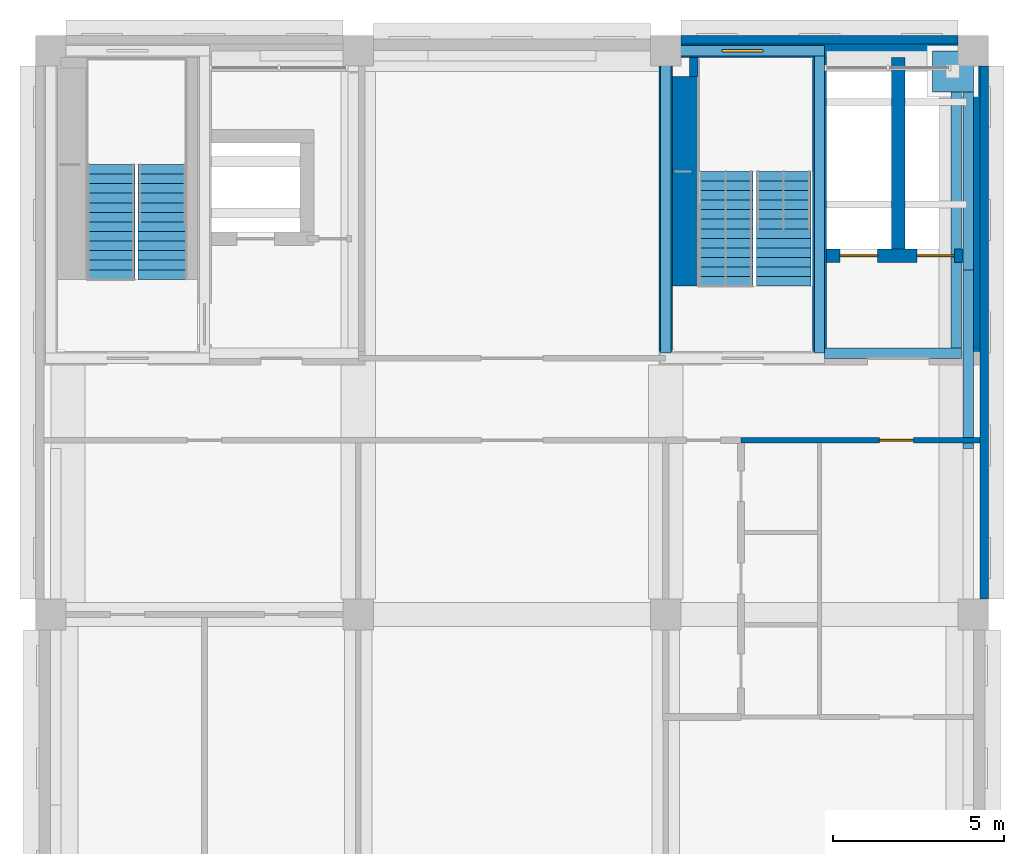
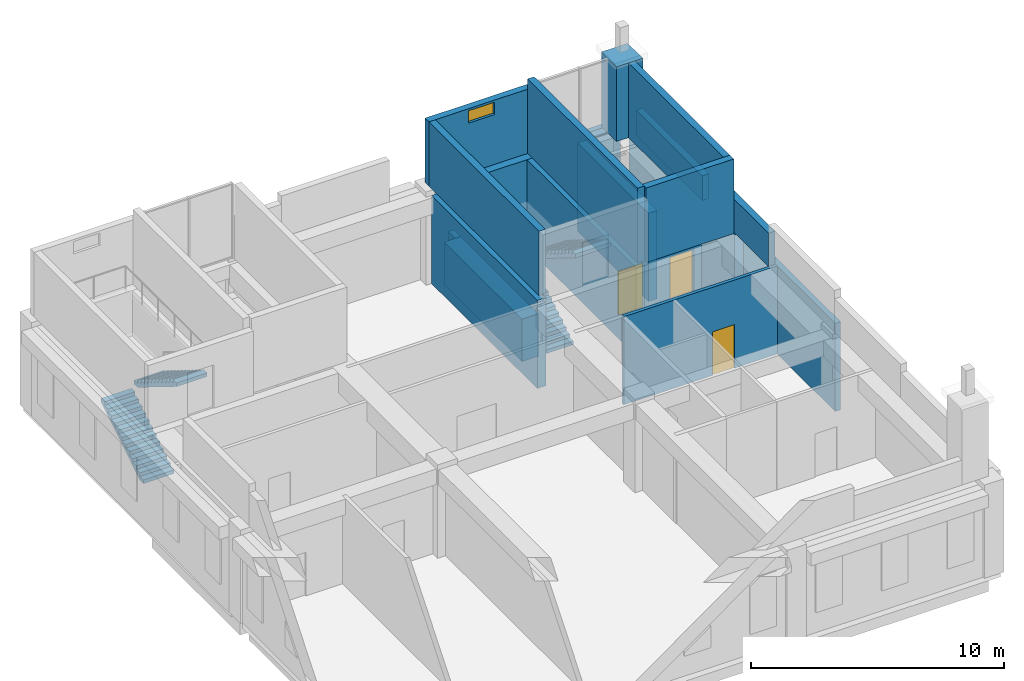
# One storey, part 5 of 6: 19 walls, 4 stair flights, 3 doors, 1 window, 4 openings, 2 elements without a shape of their own.
"""IFC4 building model written with IfcOpenShell, lengths in metres."""

import ifcopenshell
import ifcopenshell.guid

model = None  # the IFC model being written
_history = None  # IfcOwnerHistory: only IFC2X3 demands one
_inside = {}  # id of a spatial element -> (the spatial element, [elements in it])
_under = {}  # id of a project, library or spatial element -> (it, [spatial elements below it])
_declared = {}  # id of a project -> (the project, [libraries it declares])
_typed = {}  # id of a type object -> (the type object, [elements of that type])
_made_of = {}  # id of a material, layer set ... -> (it, [elements and type objects made of it])


def new_model(schema):
    """Start an empty IFC model of exactly this schema.

    Asked for "IFC4X3", IfcOpenShell would pick the latest addendum, in which some entities
    have other attributes; the version numbers below select the first issue.
    IFC2X3 requires an IfcOwnerHistory on every rooted entity: one is made here for all.
    """
    global model, _history
    if schema == "IFC4X3":
        model = ifcopenshell.file(schema_version=(4, 3, 0, 0))
    else:
        model = ifcopenshell.file(schema=schema)
    _inside.clear()
    _under.clear()
    _declared.clear()
    _typed.clear()
    _made_of.clear()
    _history = None
    if model.schema == "IFC2X3":
        org = make("IfcOrganization", Name="unknown")
        user = make(
            "IfcPersonAndOrganization",
            ThePerson=make("IfcPerson", FamilyName="unknown"),
            TheOrganization=org,
        )
        app = make(
            "IfcApplication",
            ApplicationDeveloper=org,
            Version="unknown",
            ApplicationFullName="unknown",
            ApplicationIdentifier="unknown",
        )
        _history = make(
            "IfcOwnerHistory",
            OwningUser=user,
            OwningApplication=app,
            ChangeAction="ADDED",
            CreationDate=0,
        )
    return model


def make(cls, **values):
    """One entity of the class cls with the attributes given. An attribute that is None is left unset."""
    return model.create_entity(
        cls, **{name: value for name, value in values.items() if value is not None}
    )


def rooted(cls, **values):
    """An entity with a GlobalId (a new one), such as an element, a storey or a relation."""
    return make(cls, GlobalId=ifcopenshell.guid.new(), OwnerHistory=_history, **values)


def si_unit(unit_type, name, prefix=None):
    """IfcSIUnit, for example si_unit("LENGTHUNIT", "METRE", prefix="MILLI")."""
    return make("IfcSIUnit", UnitType=unit_type, Prefix=prefix, Name=name)


def assignment(units):
    """IfcUnitAssignment: the units of a project."""
    return None if units is None else make("IfcUnitAssignment", Units=units)


def point(xyz):
    """IfcCartesianPoint."""
    return None if xyz is None else make("IfcCartesianPoint", Coordinates=xyz)


def direction(xyz):
    """IfcDirection."""
    return None if xyz is None else make("IfcDirection", DirectionRatios=xyz)


def frame(location, z_axis=None, x_axis=None):
    """IfcAxis2Placement3D, a coordinate frame: its origin and axes. An axis left out is left unset."""
    return make(
        "IfcAxis2Placement3D",
        Location=point(location),
        Axis=direction(z_axis),
        RefDirection=direction(x_axis),
    )


def frame_2d(location, x_axis=None):
    """IfcAxis2Placement2D, a coordinate frame in the plane: its origin and x axis."""
    return make(
        "IfcAxis2Placement2D", Location=point(location), RefDirection=direction(x_axis)
    )


def origin():
    """The frame at (0, 0, 0) with its axes left unset."""
    return frame((0.0, 0.0, 0.0))


def place(relative_to, where):
    """IfcLocalPlacement: puts the frame where relative to a parent placement (None: the world)."""
    return make(
        "IfcLocalPlacement", PlacementRelTo=relative_to, RelativePlacement=where
    )


def context(
    kind, dimensions, precision=None, world=None, true_north=None, identifier=None
):
    """IfcGeometricRepresentationContext, for example the 3D "Model" context."""
    return make(
        "IfcGeometricRepresentationContext",
        ContextIdentifier=identifier,
        ContextType=kind,
        CoordinateSpaceDimension=dimensions,
        Precision=precision,
        WorldCoordinateSystem=world,
        TrueNorth=true_north,
    )


def subcontext(parent, identifier, kind, view, scale=None):
    """IfcGeometricRepresentationSubContext, for example "Body" below "Model"."""
    return make(
        "IfcGeometricRepresentationSubContext",
        ContextIdentifier=identifier,
        ContextType=kind,
        ParentContext=parent,
        TargetScale=scale,
        TargetView=view,
    )


def project(units=None, contexts=None):
    """IfcProject with its units and contexts."""
    return rooted(
        "IfcProject",
        Name="project",
        RepresentationContexts=contexts,
        UnitsInContext=assignment(units),
    )


def spatial(cls, under=None, at=None, **own):
    """A site, building, storey or space (cls), placed at a placement, below another one or the project."""
    s = rooted(cls, ObjectPlacement=at, **own)
    if under is not None:
        _under.setdefault(under.id(), (under, []))[1].append(s)
    return s


def polyline(points):
    """IfcPolyline through the points."""
    return make("IfcPolyline", Points=[point(p) for p in points])


def profile(cls, at=None, kind="AREA", **sizes):
    """A parametric profile (cls). Its sizes go by their IFC names, for example OverallWidth=200.0."""
    return make(cls, ProfileType=kind, Position=at, **sizes)


def rectangle(**sizes):
    """IfcRectangleProfileDef."""
    return profile("IfcRectangleProfileDef", **sizes)


def outline(outer, holes=None, kind="AREA"):
    """IfcArbitraryClosedProfileDef: a profile drawn as a closed curve; with holes, ...WithVoids."""
    if holes is None:
        return make("IfcArbitraryClosedProfileDef", ProfileType=kind, OuterCurve=outer)
    return make(
        "IfcArbitraryProfileDefWithVoids",
        ProfileType=kind,
        OuterCurve=outer,
        InnerCurves=holes,
    )


def extrude(swept, where, along, depth):
    """IfcExtrudedAreaSolid: the profile swept, set in the frame where, extruded along a direction by depth."""
    return make(
        "IfcExtrudedAreaSolid",
        SweptArea=swept,
        Position=where,
        ExtrudedDirection=direction(along),
        Depth=depth,
    )


def shape(context_of_items, identifier, shape_type, items):
    """IfcShapeRepresentation: the items that make up one representation, for example the "Body"."""
    return make(
        "IfcShapeRepresentation",
        ContextOfItems=context_of_items,
        RepresentationIdentifier=identifier,
        RepresentationType=shape_type,
        Items=items,
    )


def material(Name=None, Category=None):
    """IfcMaterial."""
    return make("IfcMaterial", Name=Name, Category=Category)


def layer(
    of_material, thickness, ventilated=None, Name=None, Category=None, Priority=None
):
    """IfcMaterialLayer: one layer of a wall or slab, of a material (None: an air gap)."""
    return make(
        "IfcMaterialLayer",
        Material=of_material,
        LayerThickness=thickness,
        IsVentilated=ventilated,
        Name=Name,
        Category=Category,
        Priority=Priority,
    )


def layer_set(layers, Name=None):
    """IfcMaterialLayerSet."""
    return make("IfcMaterialLayerSet", MaterialLayers=layers, LayerSetName=Name)


def made_of(thing, what):
    """Note that an element or type object is made of a material, layer set ...; save() writes the relation."""
    if what is not None:
        _made_of.setdefault(what.id(), (what, []))[1].append(thing)
    return thing


def type_object(cls, material=None, **own):
    """A type object (cls), such as IfcWallType, which elements share."""
    return made_of(rooted(cls, **own), material)


def element(
    cls,
    number,
    at=None,
    inside=None,
    cuts=None,
    type_object=None,
    material=None,
    context=None,
    identifier="Body",
    shape_type=None,
    held_by="IfcProductDefinitionShape",
    body=None,
    shapes=None,
    **own,
):
    """One element of the class cls, such as IfcWall. Its Tag is "e" and its number.

    at: its placement. inside: the storey or other place that contains it. cuts: it is an
    opening in that element (IfcRelVoidsElement). A single representation is given by context,
    identifier, shape_type and body (its items); several are given by shapes. held_by: the class
    of the entity that holds the representations. save() writes the other relations.
    """
    e = rooted(cls, Tag="e%d" % number, ObjectPlacement=at, **own)
    if body is not None:
        shapes = [shape(context, identifier, shape_type, body)]
    if shapes is not None:
        e.Representation = make(held_by, Representations=shapes)
    if inside is not None:
        _inside.setdefault(inside.id(), (inside, []))[1].append(e)
    if cuts is not None:
        rooted(
            "IfcRelVoidsElement", RelatingBuildingElement=cuts, RelatedOpeningElement=e
        )
    if type_object is not None:
        _typed.setdefault(type_object.id(), (type_object, []))[1].append(e)
    return made_of(e, material)


def fill(opening, filler):
    """IfcRelFillsElement: the door or window that sits in an opening."""
    return rooted(
        "IfcRelFillsElement",
        RelatingOpeningElement=opening,
        RelatedBuildingElement=filler,
    )


def aggregate(whole, parts):
    """IfcRelAggregates: a whole, such as a stair, and the parts it consists of."""
    return rooted("IfcRelAggregates", RelatingObject=whole, RelatedObjects=parts)


def save(model, path):
    """Write the relations noted so far, then the file.

    IfcRelAggregates (storeys below a building ...), IfcRelContainedInSpatialStructure (elements
    in a storey), IfcRelDefinesByType, IfcRelAssociatesMaterial and IfcRelDeclares: one each for
    every whole, place, type object, material and project.
    """
    for whole, parts in _under.values():
        aggregate(whole, parts)
    for where, things in _inside.values():
        rooted(
            "IfcRelContainedInSpatialStructure",
            RelatedElements=things,
            RelatingStructure=where,
        )
    for kind, things in _typed.values():
        rooted("IfcRelDefinesByType", RelatedObjects=things, RelatingType=kind)
    for what, things in _made_of.values():
        rooted("IfcRelAssociatesMaterial", RelatedObjects=things, RelatingMaterial=what)
    for by, libraries in _declared.values():
        rooted("IfcRelDeclares", RelatingContext=by, RelatedDefinitions=libraries)
    model.write(path)


model = new_model("IFC4")

# Units and contexts
model_context = context("Model", 3, precision=1e-05, world=origin(), true_north=direction((0.0, 1.0)))
body_context = subcontext(model_context, "Body", "Model", "MODEL_VIEW")
ifc_project = project(units=[si_unit("LENGTHUNIT", "METRE"), si_unit("AREAUNIT", "SQUARE_METRE"), si_unit("VOLUMEUNIT", "CUBIC_METRE"), si_unit("PLANEANGLEUNIT", "RADIAN"), si_unit("MASSUNIT", "GRAM", prefix="KILO")], contexts=[model_context])

# Site, building, storey
site_placement = place(None, origin())
site = spatial("IfcSite", under=ifc_project, at=site_placement, CompositionType="ELEMENT")
building_placement = place(site_placement, origin())
building = spatial("IfcBuilding", under=site, at=building_placement, Name="Aurelan Courthouse", CompositionType="ELEMENT")
storey_placement = place(building_placement, frame((0.0, 0.0, 57.89990234375)))
storey = spatial("IfcBuildingStorey", under=building, at=storey_placement, Name="L11", CompositionType="ELEMENT", Elevation=57.89990234375)

# Walls
ifc_material_1 = material(Name="Limestone cladding", Category="masonry")
ifc_layer_1 = layer(ifc_material_1, 0.300048828125)
ifc_layer_set_1 = layer_set([ifc_layer_1], Name="Limestone cladding")
wall_type_1 = type_object("IfcWallType", Name="CR5 crown parapet 300 x 1200", PredefinedType="PARAPET", material=ifc_layer_set_1)
wall_1_placement = place(storey_placement, frame((26.85009765625, 22.080078125, 4.5), z_axis=(0.0, 0.0, 1.0), x_axis=(0.0, 1.0, 0.0)))
element("IfcWall", 1, at=wall_1_placement, inside=storey, type_object=wall_type_1, Name="Crown parapet CR5-PA20", PredefinedType="PARAPET", context=body_context, shape_type="SweptSolid", body=[
    extrude(rectangle(XDim=5.219970703125, YDim=0.300048828125, at=frame_2d((2.60986328125, 0.0))), origin(), (0.0, 0.0, 1.0), 1.2001953125),
])
ifc_layer_2 = layer(ifc_material_1, 0.300048828125)
ifc_layer_set_2 = layer_set([ifc_layer_2], Name="Limestone cladding")
wall_type_2 = type_object("IfcWallType", Name="CR5 crown parapet 300 x 1600", PredefinedType="PARAPET", material=ifc_layer_set_2)
wall_2_placement = place(storey_placement, frame((26.85009765625, 16.860107421875, 4.5), z_axis=(0.0, 0.0, 1.0), x_axis=(0.0, 1.0, 0.0)))
element("IfcWall", 2, at=wall_2_placement, inside=storey, type_object=wall_type_2, Name="Crown parapet CR5-PA19", PredefinedType="PARAPET", context=body_context, shape_type="SweptSolid", body=[
    extrude(rectangle(XDim=5.219970703125, YDim=0.300048828125, at=frame_2d((2.60986328125, 0.0))), origin(), (0.0, 0.0, 1.0), 1.60009765625),
])

# Wall, opening, door
ifc_material_2 = material(Name="Gypsum board on metal studs")
ifc_layer_3 = layer(ifc_material_2, 0.14990234375)
ifc_layer_set_3 = layer_set([ifc_layer_3], Name="Gypsum board on metal studs")
wall_type_3 = type_object("IfcWallType", Name="Corridor partition 150 EI 60", PredefinedType="PARTITIONING", material=ifc_layer_set_3)
wall_3_placement = place(storey_placement, frame((20.199951171875, 17.10009765625, 0.0), z_axis=(0.0, 0.0, 1.0), x_axis=(1.0, 0.0, 0.0)))
wall_3 = element("IfcWall", 3, at=wall_3_placement, inside=storey, type_object=wall_type_3, Name="Corridor partition L11-009", PredefinedType="PARTITIONING", context=body_context, shape_type="SweptSolid", body=[
    extrude(rectangle(XDim=7.0, YDim=0.14990234375, at=frame_2d((3.5, 0.0))), origin(), (0.0, 0.0, 1.0), 4.25),
])
opening_1_placement = place(wall_3_placement, frame((5.050048828125, 0.0, 0.0), z_axis=(0.0, 0.0, 1.0), x_axis=(-1.0, 0.0, 0.0)))
opening_1 = element("IfcOpeningElement", 4, at=opening_1_placement, cuts=wall_3, Name="Opening D-L11-015", PredefinedType="OPENING", context=body_context, shape_type="SweptSolid", body=[
    extrude(rectangle(XDim=1.0, YDim=2.10009765625, at=frame_2d((0.5, 1.050048828125))), frame((0.0, 0.0849609375, 0.0), z_axis=(0.0, -1.0, 0.0), x_axis=(1.0, 0.0, 0.0)), (0.0, 0.0, 1.0), 0.169921875),
])
ifc_material_3 = material(Name="Steel", Category="steel")
door_type_1 = type_object("IfcDoorType", Name="Single door 1000 x 2100 FD60", OperationType="SINGLE_SWING_LEFT", PredefinedType="DOOR", material=ifc_material_3)
door_1_placement = place(opening_1_placement, origin())
door_1 = element("IfcDoor", 5, at=door_1_placement, inside=storey, type_object=door_type_1, Name="Single door D-L11-015", OperationType="SINGLE_SWING_RIGHT", OverallHeight=2.10009765625, OverallWidth=1.0, PredefinedType="DOOR", context=body_context, shape_type="SweptSolid", body=[
    extrude(rectangle(XDim=1.0, YDim=2.10009765625, at=frame_2d((0.5, 1.050048828125))), frame((0.0, 0.02490234375, 0.0), z_axis=(0.0, -1.0, 0.0), x_axis=(1.0, 0.0, 0.0)), (0.0, 0.0, 1.0), 0.050048828125),
])
fill(opening_1, door_1)

# Walls
ifc_layer_4 = layer(ifc_material_1, 0.070068359375, Name="Facing")
ifc_material_4 = material(Name="Ventilated cavity")
ifc_layer_5 = layer(ifc_material_4, 0.02490234375, ventilated=True, Name="Ventilated cavity")
ifc_material_5 = material(Name="Mineral wool insulation")
ifc_layer_6 = layer(ifc_material_5, 0.034912109375, Name="Insulation")
ifc_material_6 = material(Name="Concrete C30", Category="concrete")
ifc_layer_7 = layer(ifc_material_6, 0.1201171875, Name="Structure")
ifc_layer_set_4 = layer_set([ifc_layer_4, ifc_layer_5, ifc_layer_6, ifc_layer_7], Name="Concrete C30")
wall_type_4 = type_object("IfcWallType", Name="Courts' Floors stone-faced wall 250", PredefinedType="SOLIDWALL", material=ifc_layer_set_4)
wall_4_placement = place(storey_placement, frame((18.449951171875, 28.824951171875, 0.0), z_axis=(0.0, 0.0, 1.0), x_axis=(1.0, 0.0, 0.0)))
element("IfcWall", 6, at=wall_4_placement, inside=storey, type_object=wall_type_4, Name="Facade wall FW-V5-L11-006", PredefinedType="SOLIDWALL", context=body_context, shape_type="SweptSolid", body=[
    extrude(rectangle(XDim=8.10009765625, YDim=0.25, at=frame_2d((4.050048828125, 0.0))), origin(), (0.0, 0.0, 1.0), 4.25),
])
wall_5_placement = place(storey_placement, frame((27.324951171875, 12.449951171875, 0.0), z_axis=(0.0, 0.0, 1.0), x_axis=(0.0, 1.0, 0.0)))
element("IfcWall", 7, at=wall_5_placement, inside=storey, type_object=wall_type_4, Name="Facade wall FW-V5-L11-008", PredefinedType="SOLIDWALL", context=body_context, shape_type="SweptSolid", body=[
    extrude(rectangle(XDim=15.60009765625, YDim=0.25, at=frame_2d((7.800048828125, 0.0))), origin(), (0.0, 0.0, 1.0), 4.25),
])
ifc_layer_8 = layer(ifc_material_1, 1.199951171875)
ifc_layer_set_5 = layer_set([ifc_layer_8], Name="Limestone cladding")
wall_type_5 = type_object("IfcWallType", Name="Crown pylon 1200 x 3600", PredefinedType="SOLIDWALL", material=ifc_layer_set_5)
wall_6_placement = place(storey_placement, frame((25.800048828125, 27.89990234375, 4.5), z_axis=(0.0, 0.0, 1.0), x_axis=(1.0, 0.0, 0.0)))
element("IfcWall", 8, at=wall_6_placement, inside=storey, type_object=wall_type_5, Name="Crown pylon CR5-PY-NE", PredefinedType="SOLIDWALL", context=body_context, shape_type="SweptSolid", body=[
    extrude(rectangle(XDim=1.199951171875, YDim=1.199951171875, at=frame_2d((0.60009765625, 0.0))), origin(), (0.0, 0.0, 1.0), 3.60009765625),
])

# Wall, opening, window
ifc_material_7 = material(Name="Concrete C40", Category="concrete")
ifc_layer_9 = layer(ifc_material_7, 0.300048828125)
ifc_layer_set_6 = layer_set([ifc_layer_9], Name="Concrete C40")
wall_type_6 = type_object("IfcWallType", Name="Head house wall 300 x 3100", PredefinedType="SOLIDWALL", material=ifc_layer_set_6)
wall_7_placement = place(storey_placement, frame((17.85009765625, 28.5, 4.5), z_axis=(0.0, 0.0, 1.0), x_axis=(1.0, 0.0, 0.0)))
wall_7 = element("IfcWall", 9, at=wall_7_placement, inside=storey, type_object=wall_type_6, Name="Head house wall HH-ST-5A-N", PredefinedType="SOLIDWALL", context=body_context, shape_type="SweptSolid", body=[
    extrude(rectangle(XDim=4.7998046875, YDim=0.300048828125, at=frame_2d((2.39990234375, 0.0))), origin(), (0.0, 0.0, 1.0), 3.10009765625),
])
opening_2_placement = place(wall_7_placement, frame((1.800048828125, 0.0, 2.39990234375)))
opening_2 = element("IfcOpeningElement", 10, at=opening_2_placement, cuts=wall_7, Name="Opening HL-ST-5A", PredefinedType="OPENING", context=body_context, shape_type="SweptSolid", body=[
    extrude(rectangle(XDim=1.199951171875, YDim=0.60009765625, at=frame_2d((0.60009765625, 0.300048828125))), frame((0.0, 0.159912109375, 0.0), z_axis=(0.0, -1.0, 0.0), x_axis=(1.0, 0.0, 0.0)), (0.0, 0.0, 1.0), 0.320068359375),
])
ifc_material_8 = material(Name="Bronze-finished aluminium louvre", Category="aluminium")
window_type = type_object("IfcWindowType", Name="Head house louvre 1200 x 600", PartitioningType="SINGLE_PANEL", PredefinedType="WINDOW", material=ifc_material_8)
window_placement = place(opening_2_placement, origin())
window = element("IfcWindow", 11, at=window_placement, inside=storey, type_object=window_type, Name="Head house louvre HL-ST-5A", OverallHeight=0.60009765625, OverallWidth=1.199951171875, PartitioningType="SINGLE_PANEL", PredefinedType="WINDOW", context=body_context, shape_type="SweptSolid", body=[
    extrude(rectangle(XDim=1.199951171875, YDim=0.60009765625, at=frame_2d((0.60009765625, 0.300048828125))), frame((0.0, 0.030029296875, 0.0), z_axis=(0.0, -1.0, 0.0), x_axis=(1.0, 0.0, 0.0)), (0.0, 0.0, 1.0), 0.06005859375),
])
fill(opening_2, window)

# Walls
wall_8_placement = place(storey_placement, frame((18.0, 19.64990234375, 4.5), z_axis=(0.0, 0.0, 1.0), x_axis=(0.0, 1.0, 0.0)))
element("IfcWall", 12, at=wall_8_placement, inside=storey, type_object=wall_type_6, Name="Head house wall HH-ST-5A-W", PredefinedType="SOLIDWALL", context=body_context, shape_type="SweptSolid", body=[
    extrude(rectangle(XDim=8.7001953125, YDim=0.300048828125, at=frame_2d((4.35009765625, 0.0))), origin(), (0.0, 0.0, 1.0), 3.10009765625),
])
ifc_layer_10 = layer(ifc_material_7, 0.300048828125)
ifc_layer_set_7 = layer_set([ifc_layer_10], Name="Concrete C40")
wall_type_7 = type_object("IfcWallType", Name="Overrun wall 300 x 3600", PredefinedType="SOLIDWALL", material=ifc_layer_set_7)
wall_9_placement = place(storey_placement, frame((22.64990234375, 19.64990234375, 4.5), z_axis=(0.0, 0.0, 1.0), x_axis=(1.0, 0.0, 0.0)))
element("IfcWall", 13, at=wall_9_placement, inside=storey, type_object=wall_type_7, Name="Overrun wall CR5-OV2-S", PredefinedType="SOLIDWALL", context=body_context, shape_type="SweptSolid", body=[
    extrude(rectangle(XDim=4.0, YDim=0.300048828125, at=frame_2d((2.0, 0.0))), origin(), (0.0, 0.0, 1.0), 3.60009765625),
])
wall_10_placement = place(storey_placement, frame((22.5, 19.64990234375, 4.5), z_axis=(0.0, 0.0, 1.0), x_axis=(0.0, 1.0, 0.0)))
element("IfcWall", 14, at=wall_10_placement, inside=storey, type_object=wall_type_7, Name="Overrun wall CR5-OV2-W", PredefinedType="SOLIDWALL", context=body_context, shape_type="SweptSolid", body=[
    extrude(rectangle(XDim=8.7001953125, YDim=0.300048828125, at=frame_2d((4.35009765625, 0.0))), origin(), (0.0, 0.0, 1.0), 3.60009765625),
])
wall_11_placement = place(storey_placement, frame((26.5, 19.800048828125, 4.5), z_axis=(0.0, 0.0, 1.0), x_axis=(0.0, 1.0, 0.0)))
element("IfcWall", 15, at=wall_11_placement, inside=storey, type_object=wall_type_7, Name="Overrun wall CR5-OV2-E", PredefinedType="SOLIDWALL", context=body_context, shape_type="SweptSolid", body=[
    extrude(rectangle(XDim=7.5, YDim=0.300048828125, at=frame_2d((3.75, 0.0))), origin(), (0.0, 0.0, 1.0), 3.60009765625),
])
ifc_material_9 = material(Name="Concrete C50", Category="concrete")
ifc_layer_11 = layer(ifc_material_9, 0.39990234375)
ifc_layer_set_8 = layer_set([ifc_layer_11], Name="Concrete C50")
wall_type_8 = type_object("IfcWallType", Name="RC shear wall 400", PredefinedType="SHEAR", material=ifc_layer_set_8)
wall_12_placement = place(storey_placement, frame((18.0, 19.699951171875, 0.0), z_axis=(0.0, 0.0, 1.0), x_axis=(0.0, 1.0, 0.0)))
element("IfcWall", 16, at=wall_12_placement, inside=storey, type_object=wall_type_8, Name="Core wall SW-L11-006", PredefinedType="SHEAR", context=body_context, shape_type="SweptSolid", body=[
    extrude(rectangle(XDim=8.35009765625, YDim=0.39990234375, at=frame_2d((4.175048828125, 0.0))), origin(), (0.0, 0.0, 1.0), 4.25),
])
wall_13_placement = place(storey_placement, frame((22.5, 19.699951171875, 0.0), z_axis=(0.0, 0.0, 1.0), x_axis=(0.0, 1.0, 0.0)))
element("IfcWall", 17, at=wall_13_placement, inside=storey, type_object=wall_type_8, Name="Core wall SW-L11-007", PredefinedType="SHEAR", context=body_context, shape_type="SweptSolid", body=[
    extrude(rectangle(XDim=8.60009765625, YDim=0.39990234375, at=frame_2d((4.300048828125, 0.0))), origin(), (0.0, 0.0, 1.0), 4.25),
])
wall_14_placement = place(storey_placement, frame((27.0, 19.699951171875, 0.0), z_axis=(0.0, 0.0, 1.0), x_axis=(0.0, 1.0, 0.0)))
element("IfcWall", 18, at=wall_14_placement, inside=storey, type_object=wall_type_8, Name="Core wall SW-L11-008", PredefinedType="SHEAR", context=body_context, shape_type="SweptSolid", body=[
    extrude(rectangle(XDim=8.35009765625, YDim=0.39990234375, at=frame_2d((4.175048828125, 0.0))), origin(), (0.0, 0.0, 1.0), 4.25),
])

# Wall, openings, doors
wall_15_placement = place(storey_placement, frame((22.699951171875, 22.5, 0.0), z_axis=(0.0, 0.0, 1.0), x_axis=(1.0, 0.0, 0.0)))
wall_15 = element("IfcWall", 19, at=wall_15_placement, inside=storey, type_object=wall_type_8, Name="Core wall SW-L11-009", PredefinedType="SHEAR", context=body_context, shape_type="SweptSolid", body=[
    extrude(rectangle(XDim=4.10009765625, YDim=0.39990234375, at=frame_2d((2.050048828125, 0.0))), origin(), (0.0, 0.0, 1.0), 4.25),
])
opening_3_placement = place(wall_15_placement, frame((0.39990234375, 0.0, 0.0)))
opening_3 = element("IfcOpeningElement", 20, at=opening_3_placement, cuts=wall_15, Name="Opening LD-V5-P1-L11", PredefinedType="OPENING", context=body_context, shape_type="SweptSolid", body=[
    extrude(rectangle(XDim=1.10009765625, YDim=2.10009765625, at=frame_2d((0.550048828125, 1.050048828125))), frame((0.0, 0.2099609375, 0.0), z_axis=(0.0, -1.0, 0.0), x_axis=(1.0, 0.0, 0.0)), (0.0, 0.0, 1.0), 0.419921875),
])
opening_4_placement = place(wall_15_placement, frame((2.64990234375, 0.0, 0.0)))
opening_4 = element("IfcOpeningElement", 21, at=opening_4_placement, cuts=wall_15, Name="Opening LD-V5-P2-L11", PredefinedType="OPENING", context=body_context, shape_type="SweptSolid", body=[
    extrude(rectangle(XDim=1.10009765625, YDim=2.10009765625, at=frame_2d((0.550048828125, 1.050048828125))), frame((0.0, 0.2099609375, 0.0), z_axis=(0.0, -1.0, 0.0), x_axis=(1.0, 0.0, 0.0)), (0.0, 0.0, 1.0), 0.419921875),
])
door_type_2 = type_object("IfcDoorType", Name="Lift landing door 1100 x 2100 FD90", OperationType="SLIDING_TO_LEFT", PredefinedType="DOOR", material=ifc_material_3)
door_2_placement = place(opening_3_placement, origin())
door_2 = element("IfcDoor", 22, at=door_2_placement, inside=storey, type_object=door_type_2, Name="Lift landing door LD-V5-P1-L11", OperationType="SLIDING_TO_LEFT", OverallHeight=2.10009765625, OverallWidth=1.10009765625, PredefinedType="DOOR", context=body_context, shape_type="SweptSolid", body=[
    extrude(rectangle(XDim=1.10009765625, YDim=2.10009765625, at=frame_2d((0.550048828125, 1.050048828125))), frame((0.0, 0.02490234375, 0.0), z_axis=(0.0, -1.0, 0.0), x_axis=(1.0, 0.0, 0.0)), (0.0, 0.0, 1.0), 0.050048828125),
])
fill(opening_3, door_2)
door_3_placement = place(opening_4_placement, origin())
door_3 = element("IfcDoor", 23, at=door_3_placement, inside=storey, type_object=door_type_2, Name="Lift landing door LD-V5-P2-L11", OperationType="SLIDING_TO_LEFT", OverallHeight=2.10009765625, OverallWidth=1.10009765625, PredefinedType="DOOR", context=body_context, shape_type="SweptSolid", body=[
    extrude(rectangle(XDim=1.10009765625, YDim=2.10009765625, at=frame_2d((0.550048828125, 1.050048828125))), frame((0.0, 0.02490234375, 0.0), z_axis=(0.0, -1.0, 0.0), x_axis=(1.0, 0.0, 0.0)), (0.0, 0.0, 1.0), 0.050048828125),
])
fill(opening_4, door_3)

# Walls
wall_16_placement = place(storey_placement, frame((24.800048828125, 22.699951171875, 0.0), z_axis=(0.0, 0.0, 1.0), x_axis=(0.0, 1.0, 0.0)))
element("IfcWall", 24, at=wall_16_placement, inside=storey, type_object=wall_type_8, Name="Core wall SW-L11-010", PredefinedType="SHEAR", context=body_context, shape_type="SweptSolid", body=[
    extrude(rectangle(XDim=5.60009765625, YDim=0.39990234375, at=frame_2d((2.800048828125, 0.0))), origin(), (0.0, 0.0, 1.0), 4.25),
])
wall_17_placement = place(storey_placement, frame((18.449951171875, 28.5, 0.0), z_axis=(0.0, 0.0, 1.0), x_axis=(1.0, 0.0, 0.0)))
element("IfcWall", 25, at=wall_17_placement, inside=storey, type_object=wall_type_8, Name="Core wall SW-L11-015", PredefinedType="SHEAR", context=body_context, shape_type="SweptSolid", body=[
    extrude(rectangle(XDim=8.10009765625, YDim=0.39990234375, at=frame_2d((4.050048828125, 0.0))), origin(), (0.0, 0.0, 1.0), 4.25),
])
ifc_layer_12 = layer(ifc_material_6, 0.25)
ifc_layer_set_9 = layer_set([ifc_layer_12], Name="Concrete C30")
wall_type_9 = type_object("IfcWallType", Name="Stair well wall 250 EI 120 load-bearing", PredefinedType="SHEAR", material=ifc_layer_set_9)
wall_18_placement = place(storey_placement, frame((18.824951171875, 27.75, 0.0), z_axis=(0.0, 0.0, 1.0), x_axis=(0.0, 1.0, 0.0)))
element("IfcWall", 26, at=wall_18_placement, inside=storey, type_object=wall_type_9, Name="Stair well wall ST-5A-L11 A2", PredefinedType="SHEAR", context=body_context, shape_type="SweptSolid", body=[
    extrude(rectangle(XDim=0.550048828125, YDim=0.25, at=frame_2d((0.27490234375, 0.0))), origin(), (0.0, 0.0, 1.0), 2.050048828125),
])
ifc_layer_13 = layer(ifc_material_6, 0.75)
ifc_layer_set_10 = layer_set([ifc_layer_13], Name="Concrete C30")
wall_type_10 = type_object("IfcWallType", Name="Stair well wall 750 EI 120 load-bearing", PredefinedType="SHEAR", material=ifc_layer_set_10)
wall_19_placement = place(storey_placement, frame((18.574951171875, 21.610107421875, 0.0), z_axis=(0.0, 0.0, 1.0), x_axis=(0.0, 1.0, 0.0)))
element("IfcWall", 27, at=wall_19_placement, inside=storey, type_object=wall_type_10, Name="Stair well wall ST-5A-L11 A", PredefinedType="SHEAR", context=body_context, shape_type="SweptSolid", body=[
    extrude(rectangle(XDim=6.139892578125, YDim=0.75, at=frame_2d((3.06982421875, 0.0))), origin(), (0.0, 0.0, 1.0), 2.050048828125),
])

# Stair, stair flights
stair_type_1 = type_object("IfcStairType", Name="Half-turn stair 1400 wide 26 risers", PredefinedType="HALF_TURN_STAIR", material=ifc_material_6)
stair_1_placement = place(storey_placement, origin())
stair_1 = element("IfcStair", 28, at=stair_1_placement, inside=storey, type_object=stair_type_1, Name="Stair ST-5B-L11", PredefinedType="HALF_TURN_STAIR")
stair_flight_type_1 = type_object("IfcStairFlightType", Name="Stair flight 1400 wide 13 risers", PredefinedType="STRAIGHT", material=ifc_material_6)
stair_flight_1_placement = place(storey_placement, frame((1.760009765625, 21.81005859375, 0.0), z_axis=(0.0, 0.0, 1.0), x_axis=(0.0, 1.0, 0.0)))
stair_flight_1 = element("IfcStairFlight", 29, at=stair_flight_1_placement, type_object=stair_flight_type_1, Name="Stair ST-5B-L11 flight 1", NumberOfRisers=13, NumberOfTreads=12, PredefinedType="STRAIGHT", RiserHeight=0.173076923, TreadLength=0.28, context=body_context, shape_type="SweptSolid", body=[
    extrude(outline(polyline([(0.0, 0.0), (0.0, 0.173095703125), (0.280029296875, 0.173095703125), (0.280029296875, 0.34619140625), (0.56005859375, 0.34619140625), (0.56005859375, 0.519287109375), (0.840087890625, 0.519287109375), (0.840087890625, 0.6923828125), (1.1201171875, 0.6923828125), (1.1201171875, 0.865478515625), (1.39990234375, 0.865478515625), (1.39990234375, 1.03857421875), (1.679931640625, 1.03857421875), (1.679931640625, 1.21142578125), (1.9599609375, 1.21142578125), (1.9599609375, 1.384521484375), (2.239990234375, 1.384521484375), (2.239990234375, 1.5576171875), (2.52001953125, 1.5576171875), (2.52001953125, 1.730712890625), (2.800048828125, 1.730712890625), (2.800048828125, 1.90380859375), (3.080078125, 1.90380859375), (3.080078125, 2.076904296875), (3.360107421875, 2.076904296875), (3.360107421875, 2.25), (3.360107421875, 1.900634765625), (0.28515625, 0.0), (0.0, 0.0)])), frame((0.0, 0.699951171875, 0.0), z_axis=(0.0, -1.0, 0.0), x_axis=(1.0, 0.0, 0.0)), (0.0, 0.0, 1.0), 1.39990234375),
])
stair_flight_2_placement = place(storey_placement, frame((3.260009765625, 25.169921875, 2.25), z_axis=(0.0, 0.0, 1.0), x_axis=(0.0, -1.0, 0.0)))
stair_flight_2 = element("IfcStairFlight", 30, at=stair_flight_2_placement, type_object=stair_flight_type_1, Name="Stair ST-5B-L11 flight 2", NumberOfRisers=13, NumberOfTreads=12, PredefinedType="STRAIGHT", RiserHeight=0.173076923, TreadLength=0.28, context=body_context, shape_type="SweptSolid", body=[
    extrude(outline(polyline([(0.0, 0.0), (0.0, 0.173095703125), (0.280029296875, 0.173095703125), (0.280029296875, 0.34619140625), (0.56005859375, 0.34619140625), (0.56005859375, 0.519287109375), (0.840087890625, 0.519287109375), (0.840087890625, 0.6923828125), (1.1201171875, 0.6923828125), (1.1201171875, 0.865478515625), (1.39990234375, 0.865478515625), (1.39990234375, 1.03857421875), (1.679931640625, 1.03857421875), (1.679931640625, 1.21142578125), (1.9599609375, 1.21142578125), (1.9599609375, 1.384521484375), (2.239990234375, 1.384521484375), (2.239990234375, 1.5576171875), (2.52001953125, 1.5576171875), (2.52001953125, 1.730712890625), (2.800048828125, 1.730712890625), (2.800048828125, 1.90380859375), (3.080078125, 1.90380859375), (3.080078125, 2.076904296875), (3.360107421875, 2.076904296875), (3.360107421875, 2.25), (3.360107421875, 1.900634765625), (0.28515625, 0.0), (0.0, 0.0)])), frame((0.0, 0.699951171875, 0.0), z_axis=(0.0, -1.0, 0.0), x_axis=(1.0, 0.0, 0.0)), (0.0, 0.0, 1.0), 1.39990234375),
])
aggregate(stair_1, [stair_flight_1, stair_flight_2])

stair_type_2 = type_object("IfcStairType", Name="Half-turn stair 1600 wide 26 risers", PredefinedType="HALF_TURN_STAIR", material=ifc_material_6)
stair_2_placement = place(storey_placement, origin())
stair_2 = element("IfcStair", 31, at=stair_2_placement, inside=storey, type_object=stair_type_2, Name="Stair ST-5A-L11", PredefinedType="HALF_TURN_STAIR")
stair_flight_type_2 = type_object("IfcStairFlightType", Name="Stair flight 1600 wide 13 risers", PredefinedType="STRAIGHT", material=ifc_material_6)
stair_flight_3_placement = place(storey_placement, frame((19.75, 21.610107421875, 0.0), z_axis=(0.0, 0.0, 1.0), x_axis=(0.0, 1.0, 0.0)))
stair_flight_3 = element("IfcStairFlight", 32, at=stair_flight_3_placement, type_object=stair_flight_type_2, Name="Stair ST-5A-L11 flight 1", NumberOfRisers=13, NumberOfTreads=12, PredefinedType="STRAIGHT", RiserHeight=0.173076923, TreadLength=0.28, context=body_context, shape_type="SweptSolid", body=[
    extrude(outline(polyline([(0.0, 0.0), (0.0, 0.173095703125), (0.280029296875, 0.173095703125), (0.280029296875, 0.34619140625), (0.56005859375, 0.34619140625), (0.56005859375, 0.519287109375), (0.840087890625, 0.519287109375), (0.840087890625, 0.6923828125), (1.1201171875, 0.6923828125), (1.1201171875, 0.865478515625), (1.39990234375, 0.865478515625), (1.39990234375, 1.03857421875), (1.679931640625, 1.03857421875), (1.679931640625, 1.21142578125), (1.9599609375, 1.21142578125), (1.9599609375, 1.384521484375), (2.239990234375, 1.384521484375), (2.239990234375, 1.5576171875), (2.52001953125, 1.5576171875), (2.52001953125, 1.730712890625), (2.800048828125, 1.730712890625), (2.800048828125, 1.90380859375), (3.080078125, 1.90380859375), (3.080078125, 2.076904296875), (3.360107421875, 2.076904296875), (3.360107421875, 2.25), (3.360107421875, 1.900634765625), (0.28515625, 0.0), (0.0, 0.0)])), frame((0.0, 0.800048828125, 0.0), z_axis=(0.0, -1.0, 0.0), x_axis=(1.0, 0.0, 0.0)), (0.0, 0.0, 1.0), 1.60009765625),
])
stair_flight_4_placement = place(storey_placement, frame((21.449951171875, 24.969970703125, 2.25), z_axis=(0.0, 0.0, 1.0), x_axis=(0.0, -1.0, 0.0)))
stair_flight_4 = element("IfcStairFlight", 33, at=stair_flight_4_placement, type_object=stair_flight_type_2, Name="Stair ST-5A-L11 flight 2", NumberOfRisers=13, NumberOfTreads=12, PredefinedType="STRAIGHT", RiserHeight=0.173076923, TreadLength=0.28, context=body_context, shape_type="SweptSolid", body=[
    extrude(outline(polyline([(0.0, 0.0), (0.0, 0.173095703125), (0.280029296875, 0.173095703125), (0.280029296875, 0.34619140625), (0.56005859375, 0.34619140625), (0.56005859375, 0.519287109375), (0.840087890625, 0.519287109375), (0.840087890625, 0.6923828125), (1.1201171875, 0.6923828125), (1.1201171875, 0.865478515625), (1.39990234375, 0.865478515625), (1.39990234375, 1.03857421875), (1.679931640625, 1.03857421875), (1.679931640625, 1.21142578125), (1.9599609375, 1.21142578125), (1.9599609375, 1.384521484375), (2.239990234375, 1.384521484375), (2.239990234375, 1.5576171875), (2.52001953125, 1.5576171875), (2.52001953125, 1.730712890625), (2.800048828125, 1.730712890625), (2.800048828125, 1.90380859375), (3.080078125, 1.90380859375), (3.080078125, 2.076904296875), (3.360107421875, 2.076904296875), (3.360107421875, 2.25), (3.360107421875, 1.900634765625), (0.28515625, 0.0), (0.0, 0.0)])), frame((0.0, 0.800048828125, 0.0), z_axis=(0.0, -1.0, 0.0), x_axis=(1.0, 0.0, 0.0)), (0.0, 0.0, 1.0), 1.60009765625),
])
aggregate(stair_2, [stair_flight_3, stair_flight_4])

save(model, "model.ifc")
